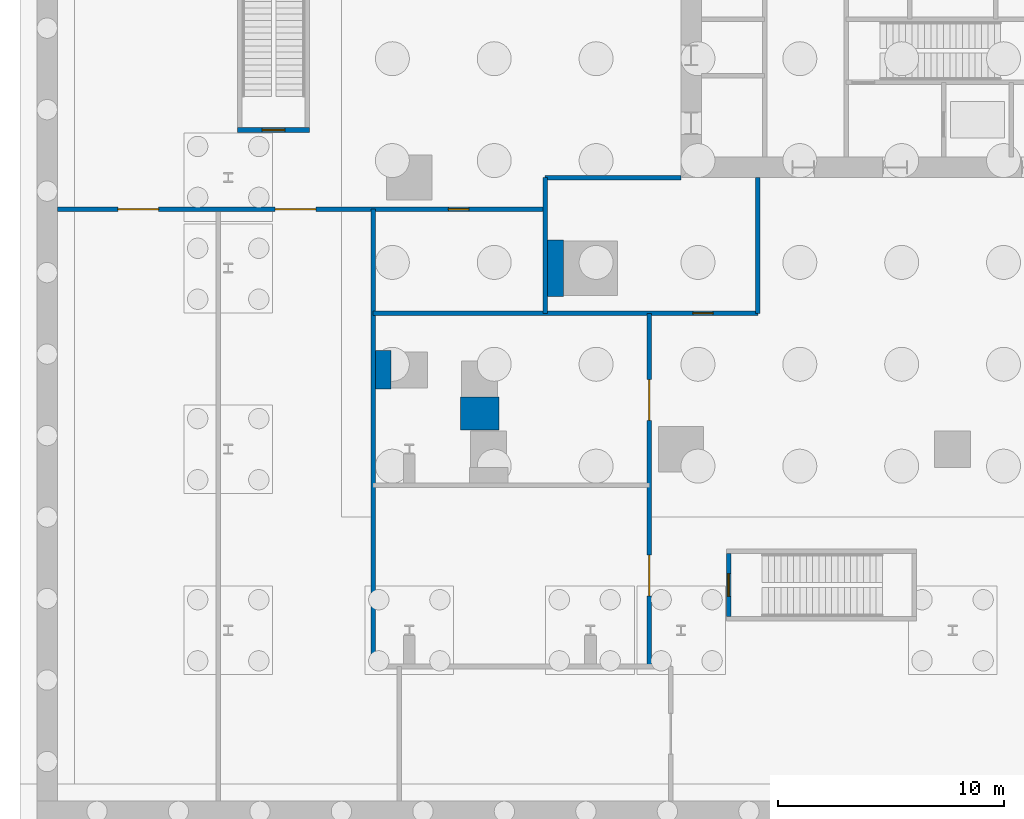
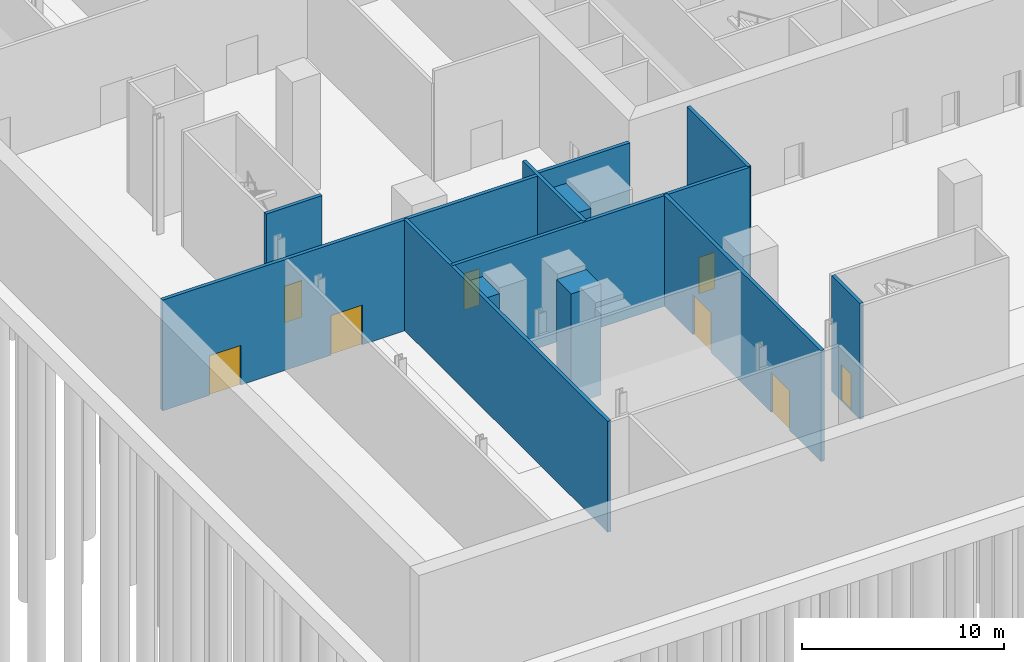
# One storey, part 5 of 15: 12 walls, 8 doors, 8 openings.
"""IFC4 building model written with IfcOpenShell, lengths in metres."""

from ifc_helpers import new_model, si_unit, direction, frame, frame_2d, origin, place, context, subcontext, project, spatial, rectangle, extrude, material, layer, layer_set, type_object, element, fill, save


model = new_model("IFC4")

# Units and contexts
model_context = context("Model", 3, precision=1e-05, world=origin(), true_north=direction((0.0, 1.0)))
body_context = subcontext(model_context, "Body", "Model", "MODEL_VIEW")
ifc_project = project(units=[si_unit("LENGTHUNIT", "METRE"), si_unit("AREAUNIT", "SQUARE_METRE"), si_unit("VOLUMEUNIT", "CUBIC_METRE"), si_unit("PLANEANGLEUNIT", "RADIAN"), si_unit("MASSUNIT", "GRAM", prefix="KILO")], contexts=[model_context])

# Site, building, storey
site_placement = place(None, origin())
site = spatial("IfcSite", under=ifc_project, at=site_placement, CompositionType="ELEMENT")
building_placement = place(site_placement, origin())
building = spatial("IfcBuilding", under=site, at=building_placement, Name="Fenwick Lantern Interchange", CompositionType="ELEMENT")
storey_placement = place(building_placement, frame((0.0, 0.0, -7.0)))
storey = spatial("IfcBuildingStorey", under=building, at=storey_placement, Name="B-1", CompositionType="ELEMENT", Elevation=-7.0)

# Walls
ifc_material_1 = material(Name="Fire-rated gypsum board encasement on steel studs, 2 hour", Category="steel")
ifc_layer_1 = layer(ifc_material_1, 1.699951171875)
ifc_layer_set_1 = layer_set([ifc_layer_1], Name="COLUMN PIER 1700")
wall_type_1 = type_object("IfcWallType", Name="COLUMN PIER 1700", PredefinedType="PARTITIONING", material=ifc_layer_set_1)
wall_1_placement = place(storey_placement, frame((-0.5, 4.5, 0.0), z_axis=(0.0, 0.0, 1.0), x_axis=(1.0, 0.0, 0.0)))
element("IfcWall", 1, at=wall_1_placement, inside=storey, type_object=wall_type_1, Name="B-1/W/PIER/CW5", PredefinedType="PARTITIONING", context=body_context, shape_type="SweptSolid", body=[
    extrude(rectangle(XDim=0.699951171875, YDim=1.699951171875, at=frame_2d((0.35009765625, 0.0))), origin(), (0.0, 0.0, 1.0), 6.699951171875),
])
wall_2_placement = place(storey_placement, frame((4.10009765625, 1.85009765625, 0.0), z_axis=(0.0, 0.0, 1.0), x_axis=(0.0, 1.0, 0.0)))
element("IfcWall", 2, at=wall_2_placement, inside=storey, type_object=wall_type_1, Name="B-1/W/PIER/CWR", PredefinedType="PARTITIONING", context=body_context, shape_type="SweptSolid", body=[
    extrude(rectangle(XDim=1.449951171875, YDim=1.699951171875, at=frame_2d((0.72509765625, 0.0))), origin(), (0.0, 0.0, 1.0), 6.699951171875),
])
ifc_layer_2 = layer(ifc_material_1, 2.5)
ifc_layer_set_2 = layer_set([ifc_layer_2], Name="COLUMN PIER 2500")
wall_type_2 = type_object("IfcWallType", Name="COLUMN PIER 2500", PredefinedType="PARTITIONING", material=ifc_layer_set_2)
wall_3_placement = place(storey_placement, frame((7.10009765625, 9.0, 0.0), z_axis=(0.0, 0.0, 1.0), x_axis=(1.0, 0.0, 0.0)))
element("IfcWall", 3, at=wall_3_placement, inside=storey, type_object=wall_type_2, Name="B-1/W/PIER/M1", PredefinedType="PARTITIONING", context=body_context, shape_type="SweptSolid", body=[
    extrude(rectangle(XDim=0.699951171875, YDim=2.5, at=frame_2d((0.35009765625, 0.0))), origin(), (0.0, 0.0, 1.0), 6.699951171875),
])
ifc_material_2 = material(Name="Gypsum board on steel studs, 1 hour", Category="steel")
ifc_layer_3 = layer(ifc_material_2, 0.199951171875)
ifc_layer_set_3 = layer_set([ifc_layer_3], Name="ROOM WALL 200")
wall_type_3 = type_object("IfcWallType", Name="ROOM WALL 200", PredefinedType="PARTITIONING", material=ifc_layer_set_3)
wall_4_placement = place(storey_placement, frame((-0.60009765625, -8.60009765625, 0.0), z_axis=(0.0, 0.0, 1.0), x_axis=(0.0, 1.0, 0.0)))
element("IfcWall", 4, at=wall_4_placement, inside=storey, type_object=wall_type_3, Name="B-1/W/POD/X-0.6-1", PredefinedType="PARTITIONING", context=body_context, shape_type="SweptSolid", body=[
    extrude(rectangle(XDim=20.2001953125, YDim=0.199951171875, at=frame_2d((10.10009765625, 0.0))), origin(), (0.0, 0.0, 1.0), 6.699951171875),
])
wall_5_placement = place(storey_placement, frame((7.0, 7.0, 0.0), z_axis=(0.0, 0.0, 1.0), x_axis=(0.0, 1.0, 0.0)))
element("IfcWall", 5, at=wall_5_placement, inside=storey, type_object=wall_type_3, Name="B-1/W/POD/X7-1", PredefinedType="PARTITIONING", context=body_context, shape_type="SweptSolid", body=[
    extrude(rectangle(XDim=6.0, YDim=0.199951171875, at=frame_2d((3.0, 0.0))), origin(), (0.0, 0.0, 1.0), 6.699951171875),
])

# Wall, openings, doors
wall_6_placement = place(storey_placement, frame((11.60009765625, -8.60009765625, 0.0), z_axis=(0.0, 0.0, 1.0), x_axis=(0.0, 1.0, 0.0)))
wall_6 = element("IfcWall", 6, at=wall_6_placement, inside=storey, type_object=wall_type_3, Name="B-1/W/POD/X11.6-1", PredefinedType="PARTITIONING", context=body_context, shape_type="SweptSolid", body=[
    extrude(rectangle(XDim=15.60009765625, YDim=0.199951171875, at=frame_2d((7.800048828125, 0.0))), origin(), (0.0, 0.0, 1.0), 6.699951171875),
])
opening_1_placement = place(wall_6_placement, frame((3.125, 0.0, 0.0)))
opening_1 = element("IfcOpeningElement", 7, at=opening_1_placement, cuts=wall_6, Name="Opening B-1-D022", PredefinedType="OPENING", context=body_context, shape_type="SweptSolid", body=[
    extrude(rectangle(XDim=1.800048828125, YDim=2.39990234375, at=frame_2d((0.89990234375, 1.199951171875))), frame((0.0, 0.10986328125, 0.0), z_axis=(0.0, -1.0, 0.0), x_axis=(1.0, 0.0, 0.0)), (0.0, 0.0, 1.0), 0.219970703125),
])
opening_2_placement = place(wall_6_placement, frame((10.875, 0.0, 0.0)))
opening_2 = element("IfcOpeningElement", 8, at=opening_2_placement, cuts=wall_6, Name="Opening B-1-D023", PredefinedType="OPENING", context=body_context, shape_type="SweptSolid", body=[
    extrude(rectangle(XDim=1.800048828125, YDim=2.39990234375, at=frame_2d((0.89990234375, 1.199951171875))), frame((0.0, 0.10986328125, 0.0), z_axis=(0.0, -1.0, 0.0), x_axis=(1.0, 0.0, 0.0)), (0.0, 0.0, 1.0), 0.219970703125),
])
ifc_material_3 = material(Name="Steel door and frame", Category="steel")
door_type_1 = type_object("IfcDoorType", Name="ROOM DOOR PAIR 1800 X 2400", OperationType="DOUBLE_DOOR_SINGLE_SWING", PredefinedType="DOOR", material=ifc_material_3)
door_1_placement = place(opening_1_placement, frame((1.800048828125, 0.0, 0.0), z_axis=(0.0, 0.0, 1.0), x_axis=(-1.0, 0.0, 0.0)))
door_1 = element("IfcDoor", 9, at=door_1_placement, inside=storey, type_object=door_type_1, Name="Room door pair", OperationType="DOUBLE_DOOR_SINGLE_SWING", OverallHeight=2.39990234375, OverallWidth=1.800048828125, PredefinedType="DOOR", context=body_context, shape_type="SweptSolid", body=[
    extrude(rectangle(XDim=1.800048828125, YDim=2.39990234375, at=frame_2d((0.89990234375, 1.199951171875))), frame((0.0, 0.02490234375, 0.0), z_axis=(0.0, -1.0, 0.0), x_axis=(1.0, 0.0, 0.0)), (0.0, 0.0, 1.0), 0.050048828125),
])
fill(opening_1, door_1)
door_2_placement = place(opening_2_placement, frame((1.800048828125, 0.0, 0.0), z_axis=(0.0, 0.0, 1.0), x_axis=(-1.0, 0.0, 0.0)))
door_2 = element("IfcDoor", 10, at=door_2_placement, inside=storey, type_object=door_type_1, Name="Room door pair", OperationType="DOUBLE_DOOR_SINGLE_SWING", OverallHeight=2.39990234375, OverallWidth=1.800048828125, PredefinedType="DOOR", context=body_context, shape_type="SweptSolid", body=[
    extrude(rectangle(XDim=1.800048828125, YDim=2.39990234375, at=frame_2d((0.89990234375, 1.199951171875))), frame((0.0, 0.02490234375, 0.0), z_axis=(0.0, -1.0, 0.0), x_axis=(1.0, 0.0, 0.0)), (0.0, 0.0, 1.0), 0.050048828125),
])
fill(opening_2, door_2)

# Wall
wall_7_placement = place(storey_placement, frame((16.39990234375, 7.0, 0.0), z_axis=(0.0, 0.0, 1.0), x_axis=(0.0, 1.0, 0.0)))
element("IfcWall", 11, at=wall_7_placement, inside=storey, type_object=wall_type_3, Name="B-1/W/POD/X16.4-1", PredefinedType="PARTITIONING", context=body_context, shape_type="SweptSolid", body=[
    extrude(rectangle(XDim=6.0, YDim=0.199951171875, at=frame_2d((3.0, 0.0))), origin(), (0.0, 0.0, 1.0), 6.699951171875),
])

# Wall, opening, door
wall_8_placement = place(storey_placement, frame((-0.60009765625, 7.0, 0.0), z_axis=(0.0, 0.0, 1.0), x_axis=(1.0, 0.0, 0.0)))
wall_8 = element("IfcWall", 12, at=wall_8_placement, inside=storey, type_object=wall_type_3, Name="B-1/W/POD/Y7-1", PredefinedType="PARTITIONING", context=body_context, shape_type="SweptSolid", body=[
    extrude(rectangle(XDim=17.0, YDim=0.199951171875, at=frame_2d((8.5, 0.0))), origin(), (0.0, 0.0, 1.0), 6.699951171875),
])
opening_3_placement = place(wall_8_placement, frame((14.125, 0.0, 0.0)))
opening_3 = element("IfcOpeningElement", 13, at=opening_3_placement, cuts=wall_8, Name="Opening B-1-D049", PredefinedType="OPENING", context=body_context, shape_type="SweptSolid", body=[
    extrude(rectangle(XDim=0.89990234375, YDim=2.199951171875, at=frame_2d((0.449951171875, 1.10009765625))), frame((0.0, 0.10986328125, 0.0), z_axis=(0.0, -1.0, 0.0), x_axis=(1.0, 0.0, 0.0)), (0.0, 0.0, 1.0), 0.219970703125),
])
ifc_material_4 = material(Name="Hardwood door and steel frame", Category="steel")
door_type_2 = type_object("IfcDoorType", Name="OFFICE DOOR 900 X 2200", OperationType="SINGLE_SWING_LEFT", PredefinedType="DOOR", material=ifc_material_4)
door_3_placement = place(opening_3_placement, origin())
door_3 = element("IfcDoor", 14, at=door_3_placement, inside=storey, type_object=door_type_2, Name="Office door", OperationType="SINGLE_SWING_RIGHT", OverallHeight=2.199951171875, OverallWidth=0.89990234375, PredefinedType="DOOR", context=body_context, shape_type="SweptSolid", body=[
    extrude(rectangle(XDim=0.89990234375, YDim=2.199951171875, at=frame_2d((0.449951171875, 1.10009765625))), frame((0.0, 0.02490234375, 0.0), z_axis=(0.0, -1.0, 0.0), x_axis=(1.0, 0.0, 0.0)), (0.0, 0.0, 1.0), 0.050048828125),
])
fill(opening_3, door_3)

# Wall, openings, doors
wall_9_placement = place(storey_placement, frame((-14.550048828125, 11.60009765625, 0.0), z_axis=(0.0, 0.0, 1.0), x_axis=(1.0, 0.0, 0.0)))
wall_9 = element("IfcWall", 15, at=wall_9_placement, inside=storey, type_object=wall_type_3, Name="B-1/W/POD/Y11.6-1", PredefinedType="PARTITIONING", context=body_context, shape_type="SweptSolid", body=[
    extrude(rectangle(XDim=21.550048828125, YDim=0.199951171875, at=frame_2d((10.77490234375, 0.0))), origin(), (0.0, 0.0, 1.0), 6.699951171875),
])
opening_4_placement = place(wall_9_placement, frame((9.625, 0.0, 0.0)))
opening_4 = element("IfcOpeningElement", 16, at=opening_4_placement, cuts=wall_9, Name="Opening B-1-D024", PredefinedType="OPENING", context=body_context, shape_type="SweptSolid", body=[
    extrude(rectangle(XDim=1.800048828125, YDim=2.39990234375, at=frame_2d((0.89990234375, 1.199951171875))), frame((0.0, 0.10986328125, 0.0), z_axis=(0.0, -1.0, 0.0), x_axis=(1.0, 0.0, 0.0)), (0.0, 0.0, 1.0), 0.219970703125),
])
opening_5_placement = place(wall_9_placement, frame((2.675048828125, 0.0, 0.0)))
opening_5 = element("IfcOpeningElement", 17, at=opening_5_placement, cuts=wall_9, Name="Opening B-1-D025", PredefinedType="OPENING", context=body_context, shape_type="SweptSolid", body=[
    extrude(rectangle(XDim=1.800048828125, YDim=2.39990234375, at=frame_2d((0.89990234375, 1.199951171875))), frame((0.0, 0.10986328125, 0.0), z_axis=(0.0, -1.0, 0.0), x_axis=(1.0, 0.0, 0.0)), (0.0, 0.0, 1.0), 0.219970703125),
])
opening_6_placement = place(wall_9_placement, frame((17.27490234375, 0.0, 0.0)))
opening_6 = element("IfcOpeningElement", 18, at=opening_6_placement, cuts=wall_9, Name="Opening B-1-D026", PredefinedType="OPENING", context=body_context, shape_type="SweptSolid", body=[
    extrude(rectangle(XDim=0.89990234375, YDim=2.199951171875, at=frame_2d((0.449951171875, 1.10009765625))), frame((0.0, 0.10986328125, 0.0), z_axis=(0.0, -1.0, 0.0), x_axis=(1.0, 0.0, 0.0)), (0.0, 0.0, 1.0), 0.219970703125),
])
door_4_placement = place(opening_6_placement, frame((0.89990234375, 0.0, 0.0), z_axis=(0.0, 0.0, 1.0), x_axis=(-1.0, 0.0, 0.0)))
door_4 = element("IfcDoor", 19, at=door_4_placement, inside=storey, type_object=door_type_2, Name="Office door", OperationType="SINGLE_SWING_RIGHT", OverallHeight=2.199951171875, OverallWidth=0.89990234375, PredefinedType="DOOR", context=body_context, shape_type="SweptSolid", body=[
    extrude(rectangle(XDim=0.89990234375, YDim=2.199951171875, at=frame_2d((0.449951171875, 1.10009765625))), frame((0.0, 0.02490234375, 0.0), z_axis=(0.0, -1.0, 0.0), x_axis=(1.0, 0.0, 0.0)), (0.0, 0.0, 1.0), 0.050048828125),
])
fill(opening_6, door_4)
door_5_placement = place(opening_4_placement, origin())
door_5 = element("IfcDoor", 20, at=door_5_placement, inside=storey, type_object=door_type_1, Name="Room door pair", OperationType="DOUBLE_DOOR_SINGLE_SWING", OverallHeight=2.39990234375, OverallWidth=1.800048828125, PredefinedType="DOOR", context=body_context, shape_type="SweptSolid", body=[
    extrude(rectangle(XDim=1.800048828125, YDim=2.39990234375, at=frame_2d((0.89990234375, 1.199951171875))), frame((0.0, 0.02490234375, 0.0), z_axis=(0.0, -1.0, 0.0), x_axis=(1.0, 0.0, 0.0)), (0.0, 0.0, 1.0), 0.050048828125),
])
fill(opening_4, door_5)
door_6_placement = place(opening_5_placement, origin())
door_6 = element("IfcDoor", 21, at=door_6_placement, inside=storey, type_object=door_type_1, Name="Room door pair", OperationType="DOUBLE_DOOR_SINGLE_SWING", OverallHeight=2.39990234375, OverallWidth=1.800048828125, PredefinedType="DOOR", context=body_context, shape_type="SweptSolid", body=[
    extrude(rectangle(XDim=1.800048828125, YDim=2.39990234375, at=frame_2d((0.89990234375, 1.199951171875))), frame((0.0, 0.02490234375, 0.0), z_axis=(0.0, -1.0, 0.0), x_axis=(1.0, 0.0, 0.0)), (0.0, 0.0, 1.0), 0.050048828125),
])
fill(opening_5, door_6)

# Wall
wall_10_placement = place(storey_placement, frame((7.0, 13.0, 0.0), z_axis=(0.0, 0.0, 1.0), x_axis=(1.0, 0.0, 0.0)))
element("IfcWall", 22, at=wall_10_placement, inside=storey, type_object=wall_type_3, Name="B-1/W/POD/Y13-1", PredefinedType="PARTITIONING", context=body_context, shape_type="SweptSolid", body=[
    extrude(rectangle(XDim=6.0, YDim=0.199951171875, at=frame_2d((3.0, 0.0))), origin(), (0.0, 0.0, 1.0), 5.724609375),
])

# Wall, opening, door
ifc_material_5 = material(Name="Reinforced concrete masonry ASTM C90 Grade N", Category="masonry")
ifc_layer_4 = layer(ifc_material_5, 0.199951171875)
ifc_layer_set_4 = layer_set([ifc_layer_4], Name="Reinforced concrete masonry ASTM C90 Grade N")
wall_type_4 = type_object("IfcWallType", Name="STAIR ENCLOSURE 200", PredefinedType="SOLIDWALL", material=ifc_layer_set_4)
wall_11_placement = place(storey_placement, frame((15.10009765625, -3.60009765625, 0.0), z_axis=(0.0, 0.0, 1.0), x_axis=(0.0, -1.0, 0.0)))
wall_11 = element("IfcWall", 23, at=wall_11_placement, inside=storey, type_object=wall_type_4, Name="B-1/W/PS2/W", PredefinedType="SOLIDWALL", context=body_context, shape_type="SweptSolid", body=[
    extrude(rectangle(XDim=2.7998046875, YDim=0.199951171875, at=frame_2d((1.39990234375, 0.0))), origin(), (0.0, 0.0, 1.0), 7.0),
])
opening_7_placement = place(wall_11_placement, frame((0.89990234375, 0.0, 0.0)))
opening_7 = element("IfcOpeningElement", 24, at=opening_7_placement, cuts=wall_11, Name="Opening B-1-D018", PredefinedType="OPENING", context=body_context, shape_type="SweptSolid", body=[
    extrude(rectangle(XDim=1.0, YDim=2.199951171875, at=frame_2d((0.5, 1.10009765625))), frame((0.0, 0.10986328125, 0.0), z_axis=(0.0, -1.0, 0.0), x_axis=(1.0, 0.0, 0.0)), (0.0, 0.0, 1.0), 0.219970703125),
])
door_type_3 = type_object("IfcDoorType", Name="STAIR DOOR 1000 X 2200", OperationType="SINGLE_SWING_LEFT", PredefinedType="DOOR", material=ifc_material_3)
door_7_placement = place(opening_7_placement, origin())
door_7 = element("IfcDoor", 25, at=door_7_placement, inside=storey, type_object=door_type_3, Name="Stair door", OperationType="SINGLE_SWING_LEFT", OverallHeight=2.199951171875, OverallWidth=1.0, PredefinedType="DOOR", context=body_context, shape_type="SweptSolid", body=[
    extrude(rectangle(XDim=1.0, YDim=2.199951171875, at=frame_2d((0.5, 1.10009765625))), frame((0.0, 0.02490234375, 0.0), z_axis=(0.0, -1.0, 0.0), x_axis=(1.0, 0.0, 0.0)), (0.0, 0.0, 1.0), 0.050048828125),
])
fill(opening_7, door_7)

wall_12_placement = place(storey_placement, frame((-6.60009765625, 15.10009765625, 0.0), z_axis=(0.0, 0.0, 1.0), x_axis=(1.0, 0.0, 0.0)))
wall_12 = element("IfcWall", 26, at=wall_12_placement, inside=storey, type_object=wall_type_4, Name="B-1/W/PS3/S", PredefinedType="SOLIDWALL", context=body_context, shape_type="SweptSolid", body=[
    extrude(rectangle(XDim=3.2001953125, YDim=0.199951171875, at=frame_2d((1.60009765625, 0.0))), origin(), (0.0, 0.0, 1.0), 7.0),
])
opening_8_placement = place(wall_12_placement, frame((1.10009765625, 0.0, 0.0)))
opening_8 = element("IfcOpeningElement", 27, at=opening_8_placement, cuts=wall_12, Name="Opening B-1-D019", PredefinedType="OPENING", context=body_context, shape_type="SweptSolid", body=[
    extrude(rectangle(XDim=1.0, YDim=2.199951171875, at=frame_2d((0.5, 1.10009765625))), frame((0.0, 0.10986328125, 0.0), z_axis=(0.0, -1.0, 0.0), x_axis=(1.0, 0.0, 0.0)), (0.0, 0.0, 1.0), 0.219970703125),
])
door_8_placement = place(opening_8_placement, origin())
door_8 = element("IfcDoor", 28, at=door_8_placement, inside=storey, type_object=door_type_3, Name="Stair door", OperationType="SINGLE_SWING_LEFT", OverallHeight=2.199951171875, OverallWidth=1.0, PredefinedType="DOOR", context=body_context, shape_type="SweptSolid", body=[
    extrude(rectangle(XDim=1.0, YDim=2.199951171875, at=frame_2d((0.5, 1.10009765625))), frame((0.0, 0.02490234375, 0.0), z_axis=(0.0, -1.0, 0.0), x_axis=(1.0, 0.0, 0.0)), (0.0, 0.0, 1.0), 0.050048828125),
])
fill(opening_8, door_8)

save(model, "model.ifc")
